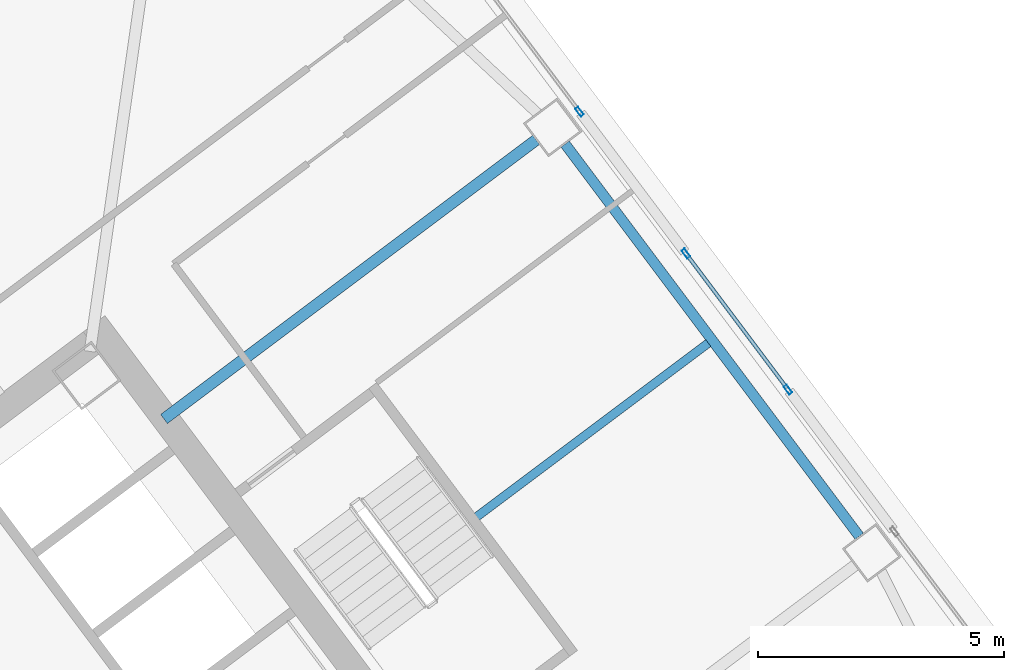
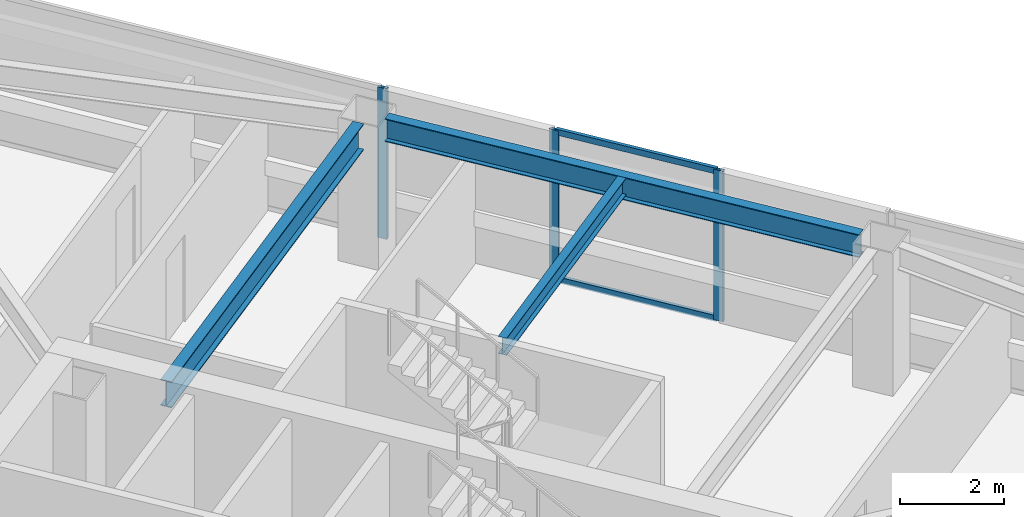
# One storey, part 29 of 42: 5 members, 3 beams, 2 elements without a shape of their own.
"""IFC4 building model written with IfcOpenShell, lengths in metres."""

from ifc_helpers import new_model, si_unit, direction, frame, origin, origin_2d, place, context, subcontext, project, spatial, hollow_rectangle, i_section, extrude, material, material_profile, profile_set, type_object, element, aggregate, save


model = new_model("IFC4")

# Units and contexts
model_context = context("Model", 3, precision=1e-05, world=origin(), true_north=direction((0.0, 1.0)))
body_context = subcontext(model_context, "Body", "Model", "MODEL_VIEW")
ifc_project = project(units=[si_unit("LENGTHUNIT", "METRE"), si_unit("AREAUNIT", "SQUARE_METRE"), si_unit("VOLUMEUNIT", "CUBIC_METRE"), si_unit("PLANEANGLEUNIT", "RADIAN"), si_unit("MASSUNIT", "GRAM", prefix="KILO")], contexts=[model_context])

# Site, building, storey
site_placement = place(None, origin())
site = spatial("IfcSite", under=ifc_project, at=site_placement, CompositionType="ELEMENT")
building_placement = place(site_placement, origin())
building = spatial("IfcBuilding", under=site, at=building_placement, Name="Tashvorn Skyway Center", CompositionType="ELEMENT")
storey_placement = place(building_placement, frame((0.0, 0.0, 121.5)))
storey = spatial("IfcBuildingStorey", under=building, at=storey_placement, Name="L32", CompositionType="ELEMENT", Elevation=121.5)

# Beams
ifc_material_1 = material(Name="Steel ASTM A992 Grade 50", Category="steel")
ifc_material_profile_1 = material_profile(ifc_material_1, i_section(OverallWidth=0.22998046875, OverallDepth=0.616943359375, WebThickness=0.01318359375, FlangeThickness=0.022216796875, at=origin_2d()), Name="W24X94")
ifc_profile_set_1 = profile_set([ifc_material_profile_1], Name="Steel ASTM A992 Grade 50")
beam_type_1 = type_object("IfcBeamType", Name="BM-BEAM-W24X94", PredefinedType="BEAM", material=ifc_profile_set_1)
beam_1_placement = place(storey_placement, frame((124.5439453125, 46.657958984375, 3.0615234375), z_axis=(-0.800006200354, -0.599991732772, 0.0), x_axis=(0.599991732772, -0.800006200354, 0.0)))
element("IfcBeam", 1, at=beam_1_placement, inside=storey, type_object=beam_type_1, Name="Tower 2 L32 Primary Floor Girder FC-E2", PredefinedType="BEAM", context=body_context, shape_type="SweptSolid", body=[
    extrude(i_section(OverallWidth=0.22998046875, OverallDepth=0.616943359375, WebThickness=0.01318359375, FlangeThickness=0.022216796875, at=origin_2d()), origin(), (0.0, 0.0, 1.0), 9.449951171875),
])
ifc_material_profile_2 = material_profile(ifc_material_1, i_section(OverallWidth=0.177978515625, OverallDepth=0.406005859375, WebThickness=0.0078125, FlangeThickness=0.0126953125, at=origin_2d()), Name="W16X40")
ifc_profile_set_2 = profile_set([ifc_material_profile_2], Name="Steel ASTM A992 Grade 50")
beam_type_2 = type_object("IfcBeamType", Name="BM-JOIST-W16X40", PredefinedType="JOIST", material=ifc_profile_set_2)
beam_2_placement = place(storey_placement, frame((123.3359375, 39.001953125, 3.1669921875), z_axis=(0.8, 0.6, 0.0), x_axis=(-0.6, 0.8, 0.0)))
element("IfcBeam", 2, at=beam_2_placement, inside=storey, type_object=beam_type_2, Name="Tower 2 L32 Secondary Composite Joist JE", PredefinedType="JOIST", context=body_context, shape_type="SweptSolid", body=[
    extrude(i_section(OverallWidth=0.177978515625, OverallDepth=0.406005859375, WebThickness=0.0078125, FlangeThickness=0.0126953125, at=origin_2d()), origin(), (0.0, 0.0, 1.0), 5.882568359375),
])
ifc_material_profile_3 = material_profile(ifc_material_1, i_section(OverallWidth=0.2109375, OverallDepth=0.5390625, WebThickness=0.01171875, FlangeThickness=0.018798828125, at=origin_2d()), Name="W21X73")
ifc_profile_set_3 = profile_set([ifc_material_profile_3], Name="Steel ASTM A992 Grade 50")
beam_type_3 = type_object("IfcBeamType", Name="BM-SPANDREL-W21X73", PredefinedType="SPANDREL", material=ifc_profile_set_3)
beam_3_placement = place(storey_placement, frame((131.10791015625, 38.60595703125, 3.1005859375), z_axis=(-0.599988234018, 0.800008824351, 0.0), x_axis=(-0.800008824351, -0.599988234018, 0.0)))
element("IfcBeam", 3, at=beam_3_placement, inside=storey, type_object=beam_type_3, Name="Tower 2 L32 Spandrel Beam 05", PredefinedType="SPANDREL", context=body_context, shape_type="SweptSolid", body=[
    extrude(i_section(OverallWidth=0.2109375, OverallDepth=0.5390625, WebThickness=0.01171875, FlangeThickness=0.018798828125, at=origin_2d()), origin(), (0.0, 0.0, 1.0), 9.9599609375),
])

# Curtain wall, member
ifc_material_2 = material(Name="Thermally broken bronze-anodized aluminium 6063-T6", Category="aluminium")
curtain_wall_type = type_object("IfcCurtainWallType", Name="CW-CW-Z3", PredefinedType="NOTDEFINED", material=ifc_material_2)
curtain_wall_1_placement = place(storey_placement, origin())
curtain_wall_1 = element("IfcCurtainWall", 4, at=curtain_wall_1_placement, inside=storey, type_object=curtain_wall_type, Name="Tower 2 L32 East Unitised Curtain Wall Glazing Group 1", PredefinedType="NOTDEFINED")
ifc_material_profile_4 = material_profile(ifc_material_2, hollow_rectangle(XDim=0.074951171875, YDim=0.199951171875, WallThickness=0.00439453125, at=origin_2d()), Name="ALU-MULL-75x200")
ifc_profile_set_4 = profile_set([ifc_material_profile_4], Name="Thermally broken bronze-anodized aluminium 6063-T6")
member_type_1 = type_object("IfcMemberType", Name="CWM-CW-Z3", PredefinedType="MULLION", material=ifc_profile_set_4)
member_1_placement = place(storey_placement, frame((125.425537109375, 47.232666015625, 0.0), z_axis=(0.0, 0.0, 1.0), x_axis=(0.799998866489, 0.600001511345, 0.0)))
member_1 = element("IfcMember", 5, at=member_1_placement, type_object=member_type_1, Name="CW-Z3 mullion 2", PredefinedType="MULLION", context=body_context, shape_type="SweptSolid", body=[
    extrude(hollow_rectangle(XDim=0.074951171875, YDim=0.199951171875, WallThickness=0.00439453125, at=origin_2d()), origin(), (0.0, 0.0, 1.0), 3.550048828125),
])
aggregate(curtain_wall_1, [member_1])

# Curtain wall, members
curtain_wall_2_placement = place(storey_placement, origin())
curtain_wall_2 = element("IfcCurtainWall", 6, at=curtain_wall_2_placement, inside=storey, type_object=curtain_wall_type, Name="Tower 2 L32 East Unitised Curtain Wall Glazing Group 2", PredefinedType="NOTDEFINED")
member_2_placement = place(storey_placement, frame((127.587890625, 44.349609375, 0.0), z_axis=(0.0, 0.0, 1.0), x_axis=(0.799999999998, 0.600000000002, 0.0)))
member_2 = element("IfcMember", 7, at=member_2_placement, type_object=member_type_1, Name="CW-Z3 mullion 1", PredefinedType="MULLION", context=body_context, shape_type="SweptSolid", body=[
    extrude(hollow_rectangle(XDim=0.074951171875, YDim=0.199951171875, WallThickness=0.00439453125, at=origin_2d()), origin(), (0.0, 0.0, 1.0), 3.550048828125),
])
member_3_placement = place(storey_placement, frame((129.66015625, 41.58642578125, 0.0), z_axis=(0.0, 0.0, 1.0), x_axis=(0.799999999998, 0.600000000002, 0.0)))
member_3 = element("IfcMember", 8, at=member_3_placement, type_object=member_type_1, Name="CW-Z3 mullion 2", PredefinedType="MULLION", context=body_context, shape_type="SweptSolid", body=[
    extrude(hollow_rectangle(XDim=0.074951171875, YDim=0.199951171875, WallThickness=0.00439453125, at=origin_2d()), origin(), (0.0, 0.0, 1.0), 3.550048828125),
])
ifc_material_profile_5 = material_profile(ifc_material_2, hollow_rectangle(XDim=0.074951171875, YDim=0.139892578125, WallThickness=0.004150390625, at=origin_2d()), Name="ALU-TRAN-75x140")
ifc_profile_set_5 = profile_set([ifc_material_profile_5], Name="Thermally broken bronze-anodized aluminium 6063-T6")
member_type_2 = type_object("IfcMemberType", Name="CWT-CW-Z3", PredefinedType="USERDEFINED", material=ifc_profile_set_5)
member_4_placement = place(storey_placement, frame((127.6103515625, 44.319580078125, 0.03759765625), z_axis=(0.6, -0.8, 0.0), x_axis=(0.8, 0.6, 0.0)))
member_4 = element("IfcMember", 9, at=member_4_placement, type_object=member_type_2, Name="CW-Z3 transom 1.1", ObjectType="TRANSOM", PredefinedType="USERDEFINED", context=body_context, shape_type="SweptSolid", body=[
    extrude(hollow_rectangle(XDim=0.074951171875, YDim=0.139892578125, WallThickness=0.004150390625, at=origin_2d()), origin(), (0.0, 0.0, 1.0), 3.37890625),
])
member_5_placement = place(storey_placement, frame((127.6103515625, 44.319580078125, 3.512451171875), z_axis=(0.6, -0.8, 0.0), x_axis=(0.8, 0.6, 0.0)))
member_5 = element("IfcMember", 10, at=member_5_placement, type_object=member_type_2, Name="CW-Z3 transom 1.2", ObjectType="TRANSOM", PredefinedType="USERDEFINED", context=body_context, shape_type="SweptSolid", body=[
    extrude(hollow_rectangle(XDim=0.074951171875, YDim=0.139892578125, WallThickness=0.004150390625, at=origin_2d()), origin(), (0.0, 0.0, 1.0), 3.37890625),
])
aggregate(curtain_wall_2, [member_2, member_3, member_4, member_5])

save(model, "model.ifc")
